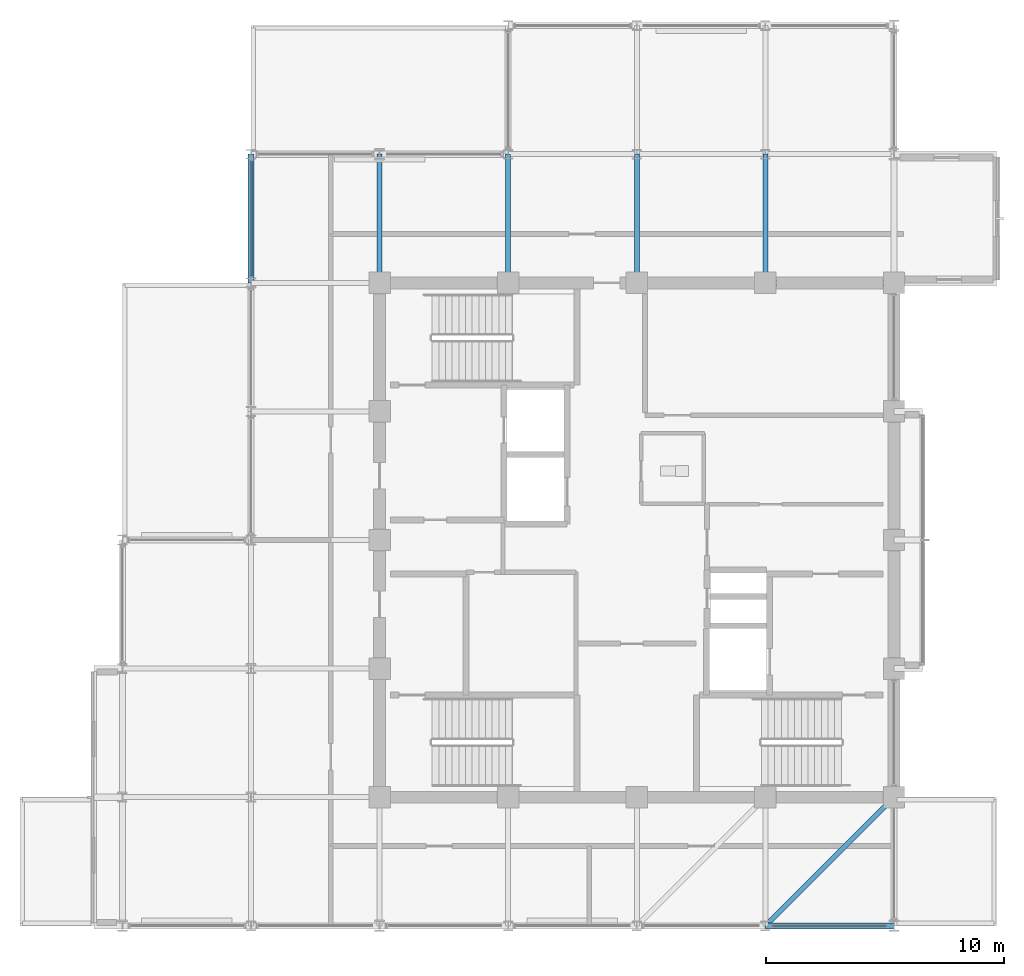
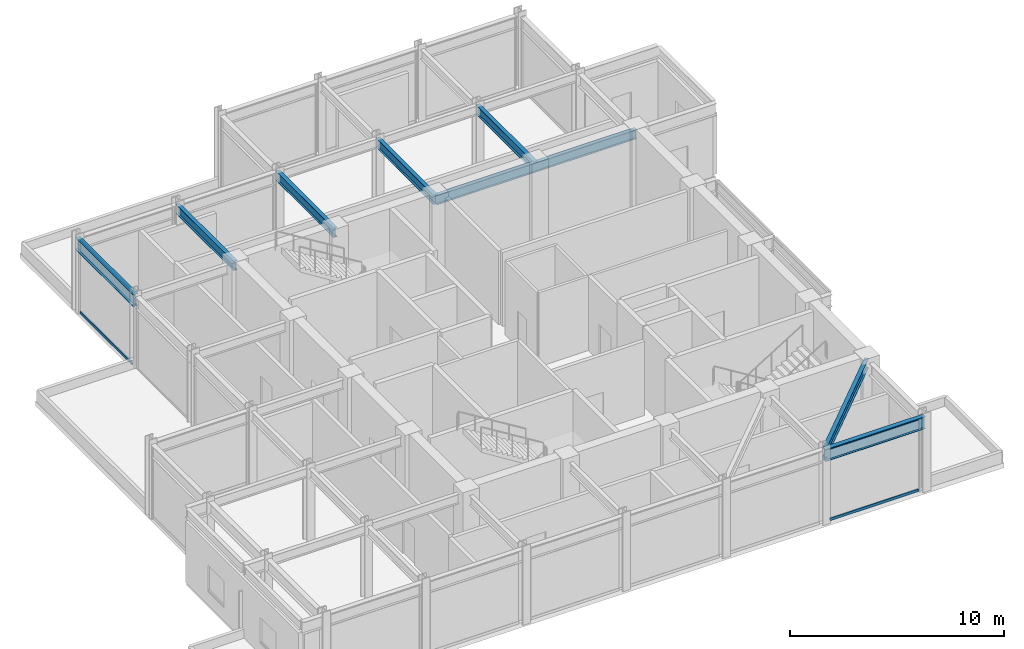
# One storey, part 7 of 21: 8 beams, 4 members, 2 elements without a shape of their own.
"""IFC4 building model written with IfcOpenShell, lengths in metres."""

from ifc_helpers import new_model, si_unit, direction, frame, origin, origin_2d, place, context, subcontext, project, spatial, hollow_rectangle, i_section, extrude, material, layer, layer_set, material_profile, profile_set, type_object, element, aggregate, save


model = new_model("IFC4")

# Units and contexts
model_context = context("Model", 3, precision=1e-05, world=origin(), true_north=direction((0.0, 1.0)))
body_context = subcontext(model_context, "Body", "Model", "MODEL_VIEW")
ifc_project = project(units=[si_unit("LENGTHUNIT", "METRE"), si_unit("AREAUNIT", "SQUARE_METRE"), si_unit("VOLUMEUNIT", "CUBIC_METRE"), si_unit("PLANEANGLEUNIT", "RADIAN"), si_unit("MASSUNIT", "GRAM", prefix="KILO")], contexts=[model_context])

# Site, building, storey
site_placement = place(None, origin())
site = spatial("IfcSite", under=ifc_project, at=site_placement, CompositionType="ELEMENT")
building_placement = place(site_placement, origin())
building = spatial("IfcBuilding", under=site, at=building_placement, Name="Surkhivell Harbour Commons", CompositionType="ELEMENT")
storey_placement = place(building_placement, frame((0.0, 0.0, 346.5)))
storey = spatial("IfcBuildingStorey", under=building, at=storey_placement, Name="L90", CompositionType="ELEMENT", Elevation=346.5)

# Beams
ifc_material_1 = material(Name="Steel S355", Category="steel")
ifc_material_profile_1 = material_profile(ifc_material_1, i_section(OverallWidth=0.2099609375, OverallDepth=0.537109375, WebThickness=0.0107421875, FlangeThickness=0.017333984375, at=origin_2d()), Name="UB533x210x101")
ifc_profile_set_1 = profile_set([ifc_material_profile_1], Name="Steel S355")
beam_type_1 = type_object("IfcBeamType", Name="BM-GRD-533B", PredefinedType="BEAM", material=ifc_profile_set_1)
beam_1_placement = place(storey_placement, frame((0.0, 10.800048828125, 3.951416015625), z_axis=(1.0, 0.0, 0.0), x_axis=(0.0, 1.0, 0.0)))
element("IfcBeam", 1, at=beam_1_placement, inside=storey, type_object=beam_type_1, Name="L90 Cantilever Back-Span Girder (0.0,10.8)", PredefinedType="BEAM", context=body_context, shape_type="SweptSolid", body=[
    extrude(i_section(OverallWidth=0.2099609375, OverallDepth=0.537109375, WebThickness=0.0107421875, FlangeThickness=0.017333984375, at=origin_2d()), origin(), (0.0, 0.0, 1.0), 10.800048828125),
])
for number, where, z_axis, x_axis, name in (
    (2, (-10.800048828125, 10.800048828125, 3.951416015625), (0.0, 1.0, 0.0), (-1.0, 0.0, 0.0), "L90 Floor Girder (-10.8,10.8)"),
    (3, (-5.39990234375, 10.800048828125, 3.951416015625), (0.0, 1.0, 0.0), (-1.0, 0.0, 0.0), "L90 Floor Girder (-5.4,10.8)"),
    (4, (0.0, 10.800048828125, 3.951416015625), (0.0, 1.0, 0.0), (-1.0, 0.0, 0.0), "L90 Floor Girder (0.0,10.8)"),
):
    element("IfcBeam", number, at=place(storey_placement, frame(where, z_axis=z_axis, x_axis=x_axis)), inside=storey, type_object=beam_type_1, Name=name, PredefinedType="BEAM", context=body_context, shape_type="SweptSolid", body=[
        extrude(i_section(OverallWidth=0.2099609375, OverallDepth=0.537109375, WebThickness=0.0107421875, FlangeThickness=0.017333984375, at=origin_2d()), origin(), (0.0, 0.0, 1.0), 5.39990234375),
    ])
beam_2_placement = place(storey_placement, frame((5.39990234375, -16.199951171875, 3.951416015625), z_axis=(0.707122765516, 0.707090796496, 0.0), x_axis=(-0.707090796496, 0.707122765516, 0.0)))
element("IfcBeam", 5, at=beam_2_placement, inside=storey, type_object=beam_type_1, Name="L90 Floor Girder (5.4,-16.2)", PredefinedType="BEAM", context=body_context, shape_type="SweptSolid", body=[
    extrude(i_section(OverallWidth=0.2099609375, OverallDepth=0.537109375, WebThickness=0.0107421875, FlangeThickness=0.017333984375, at=origin_2d()), origin(), (0.0, 0.0, 1.0), 7.63671875),
])
beam_3_placement = place(storey_placement, frame((5.39990234375, 10.800048828125, 3.951416015625), z_axis=(0.0, 1.0, 0.0), x_axis=(-1.0, 0.0, 0.0)))
element("IfcBeam", 6, at=beam_3_placement, inside=storey, type_object=beam_type_1, Name="L90 Floor Girder (5.4,10.8)", PredefinedType="BEAM", context=body_context, shape_type="SweptSolid", body=[
    extrude(i_section(OverallWidth=0.2099609375, OverallDepth=0.537109375, WebThickness=0.0107421875, FlangeThickness=0.017333984375, at=origin_2d()), origin(), (0.0, 0.0, 1.0), 5.39990234375),
])
ifc_material_profile_2 = material_profile(ifc_material_1, i_section(OverallWidth=0.256103515625, OverallDepth=0.693115234375, WebThickness=0.014404296875, FlangeThickness=0.023681640625, at=origin_2d()), Name="UB686x254x170")
ifc_profile_set_2 = profile_set([ifc_material_profile_2], Name="Steel S355")
beam_type_2 = type_object("IfcBeamType", Name="BM-SPN-686", PredefinedType="SPANDREL", material=ifc_profile_set_2)
beam_4_placement = place(storey_placement, frame((-16.199951171875, 10.800048828125, 3.87353515625), z_axis=(0.0, 1.0, 0.0), x_axis=(-1.0, 0.0, 0.0)))
element("IfcBeam", 7, at=beam_4_placement, inside=storey, type_object=beam_type_2, Name="L90 Tube Spandrel (-16.2,10.8)", PredefinedType="SPANDREL", context=body_context, shape_type="SweptSolid", body=[
    extrude(i_section(OverallWidth=0.256103515625, OverallDepth=0.693115234375, WebThickness=0.014404296875, FlangeThickness=0.023681640625, at=origin_2d()), origin(), (0.0, 0.0, 1.0), 5.39990234375),
])
beam_5_placement = place(storey_placement, frame((5.39990234375, -16.199951171875, 3.87353515625), z_axis=(1.0, 0.0, 0.0), x_axis=(0.0, 1.0, 0.0)))
element("IfcBeam", 8, at=beam_5_placement, inside=storey, type_object=beam_type_2, Name="L90 Tube Spandrel (5.4,-16.2)", PredefinedType="SPANDREL", context=body_context, shape_type="SweptSolid", body=[
    extrude(i_section(OverallWidth=0.256103515625, OverallDepth=0.693115234375, WebThickness=0.014404296875, FlangeThickness=0.023681640625, at=origin_2d()), origin(), (0.0, 0.0, 1.0), 5.400146484375),
])

# Curtain wall, members
ifc_material_2 = material(Name="Anodised pale-metal aluminium and insulated glazing", Category="aluminium")
ifc_layer = layer(ifc_material_2, 0.22998046875)
ifc_layer_set = layer_set([ifc_layer], Name="Anodised pale-metal aluminium and insulated glazing")
curtain_wall_type = type_object("IfcCurtainWallType", Name="CW-SYS-CRN", PredefinedType="NOTDEFINED", material=ifc_layer_set)
curtain_wall_1_placement = place(storey_placement, origin())
curtain_wall_1 = element("IfcCurtainWall", 9, at=curtain_wall_1_placement, inside=storey, type_object=curtain_wall_type, Name="L90 Curtain Wall CW-L90-C02S1", PredefinedType="NOTDEFINED")
ifc_material_3 = material(Name="Anodised pale-metal aluminium alloy 6063-T6", Category="aluminium")
ifc_material_profile_3 = material_profile(ifc_material_3, hollow_rectangle(XDim=0.074951171875, YDim=0.14990234375, WallThickness=0.00341796875, at=origin_2d()), Name="ALU-TRAN-75x150")
ifc_profile_set_3 = profile_set([ifc_material_profile_3], Name="Anodised pale-metal aluminium alloy 6063-T6")
member_type = type_object("IfcMemberType", Name="CWT-150", PredefinedType="USERDEFINED", material=ifc_profile_set_3)
member_1_placement = place(storey_placement, frame((-16.199951171875, 15.9130859375, 0.074951171875), z_axis=(0.0, -1.0, 0.0), x_axis=(1.0, 0.0, 0.0)))
member_1 = element("IfcMember", 10, at=member_1_placement, type_object=member_type, Name="CW-CRN transom 1.1", ObjectType="TRANSOM", PredefinedType="USERDEFINED", context=body_context, shape_type="SweptSolid", body=[
    extrude(hollow_rectangle(XDim=0.074951171875, YDim=0.14990234375, WallThickness=0.00341796875, at=origin_2d()), origin(), (0.0, 0.0, 1.0), 4.826171875),
])
member_2_placement = place(storey_placement, frame((-16.199951171875, 15.9130859375, 4.14501953125), z_axis=(0.0, -1.0, 0.0), x_axis=(1.0, 0.0, 0.0)))
member_2 = element("IfcMember", 11, at=member_2_placement, type_object=member_type, Name="CW-CRN transom 1.2", ObjectType="TRANSOM", PredefinedType="USERDEFINED", context=body_context, shape_type="SweptSolid", body=[
    extrude(hollow_rectangle(XDim=0.074951171875, YDim=0.14990234375, WallThickness=0.00341796875, at=origin_2d()), origin(), (0.0, 0.0, 1.0), 4.826171875),
])
aggregate(curtain_wall_1, [member_1, member_2])

curtain_wall_2_placement = place(storey_placement, origin())
curtain_wall_2 = element("IfcCurtainWall", 12, at=curtain_wall_2_placement, inside=storey, type_object=curtain_wall_type, Name="L90 Curtain Wall CW-L90-C06", PredefinedType="NOTDEFINED")
member_3_placement = place(storey_placement, frame((5.68701171875, -16.199951171875, 0.074951171875), z_axis=(1.0, 0.0, 0.0), x_axis=(0.0, 1.0, 0.0)))
member_3 = element("IfcMember", 13, at=member_3_placement, type_object=member_type, Name="CW-CRN transom 5.1", ObjectType="TRANSOM", PredefinedType="USERDEFINED", context=body_context, shape_type="SweptSolid", body=[
    extrude(hollow_rectangle(XDim=0.074951171875, YDim=0.14990234375, WallThickness=0.00341796875, at=origin_2d()), origin(), (0.0, 0.0, 1.0), 4.7958984375),
])
member_4_placement = place(storey_placement, frame((5.68701171875, -16.199951171875, 4.14501953125), z_axis=(1.0, 0.0, 0.0), x_axis=(0.0, 1.0, 0.0)))
member_4 = element("IfcMember", 14, at=member_4_placement, type_object=member_type, Name="CW-CRN transom 5.2", ObjectType="TRANSOM", PredefinedType="USERDEFINED", context=body_context, shape_type="SweptSolid", body=[
    extrude(hollow_rectangle(XDim=0.074951171875, YDim=0.14990234375, WallThickness=0.00341796875, at=origin_2d()), origin(), (0.0, 0.0, 1.0), 4.7958984375),
])
aggregate(curtain_wall_2, [member_3, member_4])

save(model, "model.ifc")
